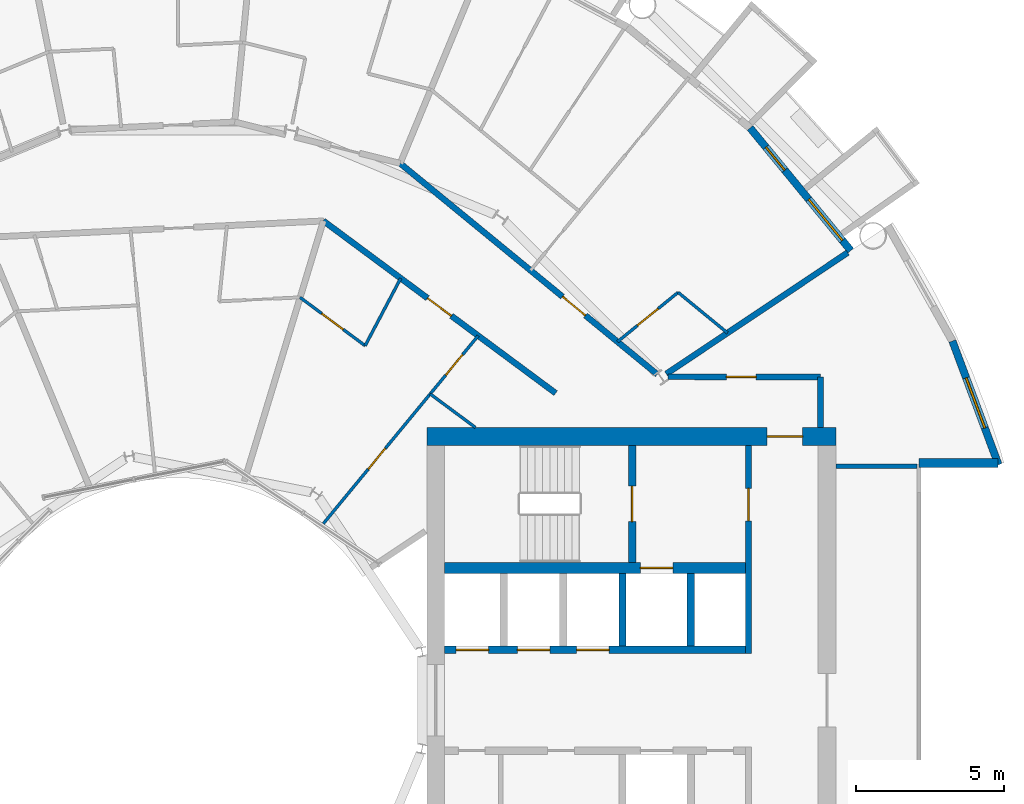
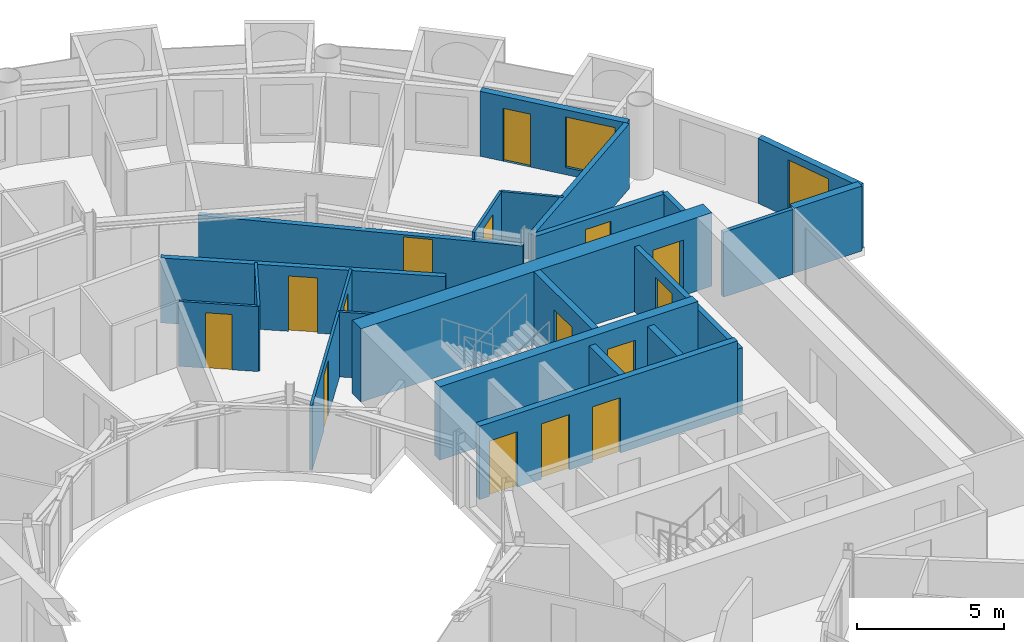
# One storey, part 22 of 27: 22 walls, 15 doors, 2 windows, 17 openings.
"""IFC4 building model written with IfcOpenShell, lengths in metres."""

from ifc_helpers import new_model, si_unit, direction, frame, frame_2d, origin, place, context, subcontext, project, spatial, rectangle, extrude, material, layer, layer_set, type_object, element, fill, save


model = new_model("IFC4")

# Units and contexts
model_context = context("Model", 3, precision=1e-05, world=origin(), true_north=direction((0.0, 1.0)))
body_context = subcontext(model_context, "Body", "Model", "MODEL_VIEW")
ifc_project = project(units=[si_unit("LENGTHUNIT", "METRE"), si_unit("AREAUNIT", "SQUARE_METRE"), si_unit("VOLUMEUNIT", "CUBIC_METRE"), si_unit("PLANEANGLEUNIT", "RADIAN"), si_unit("MASSUNIT", "GRAM", prefix="KILO")], contexts=[model_context])

# Site, building, storey
site_placement = place(None, origin())
site = spatial("IfcSite", under=ifc_project, at=site_placement, CompositionType="ELEMENT")
building_placement = place(site_placement, origin())
building = spatial("IfcBuilding", under=site, at=building_placement, Name="Maasbend Ring Residences", CompositionType="ELEMENT")
storey_placement = place(building_placement, frame((0.0, 0.0, 114.699951171875)))
storey = spatial("IfcBuildingStorey", under=building, at=storey_placement, Name="L32", CompositionType="ELEMENT", Elevation=114.699951171875)

# Wall, openings, doors
ifc_material_1 = material(Name="Concrete C60/75", Category="concrete")
ifc_layer_1 = layer(ifc_material_1, 0.25)
ifc_layer_set_1 = layer_set([ifc_layer_1], Name="Concrete C60/75")
wall_type_1 = type_object("IfcWallType", Name="CORE WALL 250 C60/75", PredefinedType="SHEAR", material=ifc_layer_set_1)
wall_1_placement = place(storey_placement, frame((9.0, 1.699951171875, 0.0), z_axis=(0.0, 0.0, 1.0), x_axis=(1.0, 0.0, 0.0)))
wall_1 = element("IfcWall", 1, at=wall_1_placement, inside=storey, type_object=wall_type_1, Name="L32 core E wall SPN", PredefinedType="SHEAR", context=body_context, shape_type="SweptSolid", body=[
    extrude(rectangle(XDim=10.14990234375, YDim=0.25, at=frame_2d((5.074951171875, 0.0))), origin(), (0.0, 0.0, 1.0), 3.050048828125),
])
opening_1_placement = place(wall_1_placement, frame((0.387451171875, 0.0, 0.0)))
opening_1 = element("IfcOpeningElement", 2, at=opening_1_placement, cuts=wall_1, Name="Opening LD-E3201", PredefinedType="OPENING", context=body_context, shape_type="SweptSolid", body=[
    extrude(rectangle(XDim=1.10009765625, YDim=2.300048828125, at=frame_2d((0.550048828125, 1.14990234375))), frame((0.0, 0.135009765625, 0.0), z_axis=(0.0, -1.0, 0.0), x_axis=(1.0, 0.0, 0.0)), (0.0, 0.0, 1.0), 0.27001953125),
])
opening_2_placement = place(wall_1_placement, frame((2.449951171875, 0.0, 0.0)))
opening_2 = element("IfcOpeningElement", 3, at=opening_2_placement, cuts=wall_1, Name="Opening LD-E3202", PredefinedType="OPENING", context=body_context, shape_type="SweptSolid", body=[
    extrude(rectangle(XDim=1.10009765625, YDim=2.300048828125, at=frame_2d((0.550048828125, 1.14990234375))), frame((0.0, 0.135009765625, 0.0), z_axis=(0.0, -1.0, 0.0), x_axis=(1.0, 0.0, 0.0)), (0.0, 0.0, 1.0), 0.27001953125),
])
opening_3_placement = place(wall_1_placement, frame((4.449951171875, 0.0, 0.0)))
opening_3 = element("IfcOpeningElement", 4, at=opening_3_placement, cuts=wall_1, Name="Opening LD-E3203", PredefinedType="OPENING", context=body_context, shape_type="SweptSolid", body=[
    extrude(rectangle(XDim=1.10009765625, YDim=2.300048828125, at=frame_2d((0.550048828125, 1.14990234375))), frame((0.0, 0.135009765625, 0.0), z_axis=(0.0, -1.0, 0.0), x_axis=(1.0, 0.0, 0.0)), (0.0, 0.0, 1.0), 0.27001953125),
])
ifc_material_2 = material(Name="Stainless steel 316", Category="steel")
door_type_1 = type_object("IfcDoorType", Name="LANDING DOOR 1100 X 2300 FD60", OperationType="DOUBLE_DOOR_SLIDING", PredefinedType="DOOR", material=ifc_material_2)
door_1_placement = place(opening_1_placement, origin())
door_1 = element("IfcDoor", 5, at=door_1_placement, inside=storey, type_object=door_type_1, Name="Landing door LR-E1 L32", OperationType="DOUBLE_DOOR_SLIDING", OverallHeight=2.300048828125, OverallWidth=1.10009765625, PredefinedType="DOOR", context=body_context, shape_type="SweptSolid", body=[
    extrude(rectangle(XDim=1.10009765625, YDim=2.300048828125, at=frame_2d((0.550048828125, 1.14990234375))), frame((0.0, 0.02490234375, 0.0), z_axis=(0.0, -1.0, 0.0), x_axis=(1.0, 0.0, 0.0)), (0.0, 0.0, 1.0), 0.050048828125),
])
fill(opening_1, door_1)
door_2_placement = place(opening_2_placement, origin())
door_2 = element("IfcDoor", 6, at=door_2_placement, inside=storey, type_object=door_type_1, Name="Landing door LR-E2 L32", OperationType="DOUBLE_DOOR_SLIDING", OverallHeight=2.300048828125, OverallWidth=1.10009765625, PredefinedType="DOOR", context=body_context, shape_type="SweptSolid", body=[
    extrude(rectangle(XDim=1.10009765625, YDim=2.300048828125, at=frame_2d((0.550048828125, 1.14990234375))), frame((0.0, 0.02490234375, 0.0), z_axis=(0.0, -1.0, 0.0), x_axis=(1.0, 0.0, 0.0)), (0.0, 0.0, 1.0), 0.050048828125),
])
fill(opening_2, door_2)
door_3_placement = place(opening_3_placement, origin())
door_3 = element("IfcDoor", 7, at=door_3_placement, inside=storey, type_object=door_type_1, Name="Landing door LR-E3 L32", OperationType="DOUBLE_DOOR_SLIDING", OverallHeight=2.300048828125, OverallWidth=1.10009765625, PredefinedType="DOOR", context=body_context, shape_type="SweptSolid", body=[
    extrude(rectangle(XDim=1.10009765625, YDim=2.300048828125, at=frame_2d((0.550048828125, 1.14990234375))), frame((0.0, 0.02490234375, 0.0), z_axis=(0.0, -1.0, 0.0), x_axis=(1.0, 0.0, 0.0)), (0.0, 0.0, 1.0), 0.050048828125),
])
fill(opening_3, door_3)

# Wall, opening, door
wall_2_placement = place(storey_placement, frame((15.324951171875, 4.64990234375, 0.0), z_axis=(0.0, 0.0, 1.0), x_axis=(0.0, 1.0, 0.0)))
wall_2 = element("IfcWall", 8, at=wall_2_placement, inside=storey, type_object=wall_type_1, Name="L32 core E wall STEN", PredefinedType="SHEAR", context=body_context, shape_type="SweptSolid", body=[
    extrude(rectangle(XDim=3.9501953125, YDim=0.25, at=frame_2d((1.97509765625, 0.0))), origin(), (0.0, 0.0, 1.0), 3.050048828125),
])
opening_4_placement = place(wall_2_placement, frame((1.375, 0.0, 0.0)))
opening_4 = element("IfcOpeningElement", 9, at=opening_4_placement, cuts=wall_2, Name="Opening D-E3210", PredefinedType="OPENING", context=body_context, shape_type="SweptSolid", body=[
    extrude(rectangle(XDim=1.199951171875, YDim=2.300048828125, at=frame_2d((0.60009765625, 1.14990234375))), frame((0.0, 0.135009765625, 0.0), z_axis=(0.0, -1.0, 0.0), x_axis=(1.0, 0.0, 0.0)), (0.0, 0.0, 1.0), 0.27001953125),
])
ifc_material_3 = material(Name="Steel, powder coated", Category="steel")
door_type_2 = type_object("IfcDoorType", Name="STAIR DOOR 1200 X 2300 FD60", OperationType="NOTDEFINED", PredefinedType="DOOR", material=ifc_material_3)
door_4_placement = place(opening_4_placement, origin())
door_4 = element("IfcDoor", 10, at=door_4_placement, inside=storey, type_object=door_type_2, Name="Stair door ST-E L32", OperationType="SINGLE_SWING_LEFT", OverallHeight=2.300048828125, OverallWidth=1.199951171875, PredefinedType="DOOR", context=body_context, shape_type="SweptSolid", body=[
    extrude(rectangle(XDim=1.199951171875, YDim=2.300048828125, at=frame_2d((0.60009765625, 1.14990234375))), frame((0.0, 0.02490234375, 0.0), z_axis=(0.0, -1.0, 0.0), x_axis=(1.0, 0.0, 0.0)), (0.0, 0.0, 1.0), 0.050048828125),
])
fill(opening_4, door_4)

ifc_material_4 = material(Name="Concrete C60/75", Category="concrete")
ifc_layer_2 = layer(ifc_material_4, 0.375)
ifc_layer_set_2 = layer_set([ifc_layer_2], Name="Concrete C60/75")
wall_type_2 = type_object("IfcWallType", Name="CORE WALL 375 C60/75", PredefinedType="SHEAR", material=ifc_layer_set_2)
wall_3_placement = place(storey_placement, frame((9.0, 4.46240234375, 0.0), z_axis=(0.0, 0.0, 1.0), x_axis=(1.0, 0.0, 0.0)))
wall_3 = element("IfcWall", 11, at=wall_3_placement, inside=storey, type_object=wall_type_2, Name="L32 core E wall BN", PredefinedType="SHEAR", context=body_context, shape_type="SweptSolid", body=[
    extrude(rectangle(XDim=10.14990234375, YDim=0.375, at=frame_2d((5.074951171875, 0.0))), origin(), (0.0, 0.0, 1.0), 3.050048828125),
])
opening_5_placement = place(wall_3_placement, frame((6.60009765625, 0.0, 0.0)))
opening_5 = element("IfcOpeningElement", 12, at=opening_5_placement, cuts=wall_3, Name="Opening LD-E3204", PredefinedType="OPENING", context=body_context, shape_type="SweptSolid", body=[
    extrude(rectangle(XDim=1.10009765625, YDim=2.300048828125, at=frame_2d((0.550048828125, 1.14990234375))), frame((0.0, 0.197509765625, 0.0), z_axis=(0.0, -1.0, 0.0), x_axis=(1.0, 0.0, 0.0)), (0.0, 0.0, 1.0), 0.39501953125),
])
door_5_placement = place(opening_5_placement, origin())
door_5 = element("IfcDoor", 13, at=door_5_placement, inside=storey, type_object=door_type_1, Name="Landing door FF-E L32", OperationType="DOUBLE_DOOR_SLIDING", OverallHeight=2.300048828125, OverallWidth=1.10009765625, PredefinedType="DOOR", context=body_context, shape_type="SweptSolid", body=[
    extrude(rectangle(XDim=1.10009765625, YDim=2.300048828125, at=frame_2d((0.550048828125, 1.14990234375))), frame((0.0, 0.02490234375, 0.0), z_axis=(0.0, -1.0, 0.0), x_axis=(1.0, 0.0, 0.0)), (0.0, 0.0, 1.0), 0.050048828125),
])
fill(opening_5, door_5)

ifc_material_5 = material(Name="Concrete C60/75", Category="concrete")
ifc_layer_3 = layer(ifc_material_5, 0.60009765625)
ifc_layer_set_3 = layer_set([ifc_layer_3], Name="Concrete C60/75")
wall_type_3 = type_object("IfcWallType", Name="CORE WALL 600 C60/75", PredefinedType="SHEAR", material=ifc_layer_set_3)
wall_4_placement = place(storey_placement, frame((22.199951171875, 8.89990234375, 0.0), z_axis=(0.0, 0.0, 1.0), x_axis=(-1.0, 0.0, 0.0)))
wall_4 = element("IfcWall", 14, at=wall_4_placement, inside=storey, type_object=wall_type_3, Name="L32 core E wall PN", PredefinedType="SHEAR", context=body_context, shape_type="SweptSolid", body=[
    extrude(rectangle(XDim=13.800048828125, YDim=0.60009765625, at=frame_2d((6.89990234375, 0.0))), origin(), (0.0, 0.0, 1.0), 3.050048828125),
])
opening_6_placement = place(wall_4_placement, frame((1.125, 0.0, 0.0)))
opening_6 = element("IfcOpeningElement", 15, at=opening_6_placement, cuts=wall_4, Name="Opening D-E3214", PredefinedType="OPENING", context=body_context, shape_type="SweptSolid", body=[
    extrude(rectangle(XDim=1.199951171875, YDim=2.300048828125, at=frame_2d((0.60009765625, 1.14990234375))), frame((0.0, 0.31005859375, 0.0), z_axis=(0.0, -1.0, 0.0), x_axis=(1.0, 0.0, 0.0)), (0.0, 0.0, 1.0), 0.6201171875),
])
ifc_material_6 = material(Name="Steel, powder coated", Category="steel")
door_type_3 = type_object("IfcDoorType", Name="CORRIDOR DOOR 1200 X 2300 FD30S", OperationType="NOTDEFINED", PredefinedType="DOOR", material=ifc_material_6)
door_6_placement = place(opening_6_placement, origin())
door_6 = element("IfcDoor", 16, at=door_6_placement, inside=storey, type_object=door_type_3, Name="Corridor door L32", OperationType="SINGLE_SWING_RIGHT", OverallHeight=2.300048828125, OverallWidth=1.199951171875, PredefinedType="DOOR", context=body_context, shape_type="SweptSolid", body=[
    extrude(rectangle(XDim=1.199951171875, YDim=2.300048828125, at=frame_2d((0.60009765625, 1.14990234375))), frame((0.0, 0.02490234375, 0.0), z_axis=(0.0, -1.0, 0.0), x_axis=(1.0, 0.0, 0.0)), (0.0, 0.0, 1.0), 0.050048828125),
])
fill(opening_6, door_6)

# Wall
ifc_material_7 = material(Name="Concrete C30/37", Category="concrete")
ifc_layer_4 = layer(ifc_material_7, 0.199951171875)
ifc_layer_set_4 = layer_set([ifc_layer_4], Name="Concrete C30/37")
wall_type_4 = type_object("IfcWallType", Name="CORRIDOR WALL 200 CONCRETE", PredefinedType="PARTITIONING", material=ifc_layer_set_4)
wall_5_placement = place(storey_placement, frame((21.675048828125, 9.199951171875, 0.0), z_axis=(0.0, 0.0, 1.0), x_axis=(0.0, 1.0, 0.0)))
element("IfcWall", 17, at=wall_5_placement, inside=storey, type_object=wall_type_4, Name="U-L32-w004", PredefinedType="PARTITIONING", context=body_context, shape_type="SweptSolid", body=[
    extrude(rectangle(XDim=1.699951171875, YDim=0.199951171875, at=frame_2d((0.85009765625, 0.0))), origin(), (0.0, 0.0, 1.0), 2.699951171875),
])

# Wall, opening, door
wall_6_placement = place(storey_placement, frame((16.5400390625, 10.9130859375, 0.0), z_axis=(0.0, 0.0, 1.0), x_axis=(0.99999670426, -0.002567385634, 0.0)))
wall_6 = element("IfcWall", 18, at=wall_6_placement, inside=storey, type_object=wall_type_4, Name="U-L32-w089", PredefinedType="PARTITIONING", context=body_context, shape_type="SweptSolid", body=[
    extrude(rectangle(XDim=5.135009765625, YDim=0.199951171875, at=frame_2d((2.5673828125, 0.0))), origin(), (0.0, 0.0, 1.0), 2.699951171875),
])
opening_7_placement = place(wall_6_placement, frame((1.965087890625, 0.0, 0.0)))
opening_7 = element("IfcOpeningElement", 19, at=opening_7_placement, cuts=wall_6, Name="Opening D-3270", PredefinedType="OPENING", context=body_context, shape_type="SweptSolid", body=[
    extrude(rectangle(XDim=1.0, YDim=2.300048828125, at=frame_2d((0.5, 1.14990234375))), frame((0.0, 0.10986328125, 0.0), z_axis=(0.0, -1.0, 0.0), x_axis=(1.0, 0.0, 0.0)), (0.0, 0.0, 1.0), 0.219970703125),
])
ifc_material_8 = material(Name="Timber, painted", Category="wood")
door_type_4 = type_object("IfcDoorType", Name="ROOM DOOR 1000 X 2300", OperationType="NOTDEFINED", PredefinedType="DOOR", material=ifc_material_8)
door_7_placement = place(opening_7_placement, origin())
door_7 = element("IfcDoor", 20, at=door_7_placement, inside=storey, type_object=door_type_4, Name="D-3270", OperationType="SINGLE_SWING_LEFT", OverallHeight=2.300048828125, OverallWidth=1.0, PredefinedType="DOOR", context=body_context, shape_type="SweptSolid", body=[
    extrude(rectangle(XDim=1.0, YDim=2.300048828125, at=frame_2d((0.5, 1.14990234375))), frame((0.0, 0.02490234375, 0.0), z_axis=(0.0, -1.0, 0.0), x_axis=(1.0, 0.0, 0.0)), (0.0, 0.0, 1.0), 0.050048828125),
])
fill(opening_7, door_7)

wall_7_placement = place(storey_placement, frame((4.906005859375, 16.172119140625, 0.0), z_axis=(0.0, 0.0, 1.0), x_axis=(0.803191461888, -0.595720971219, 0.0)))
wall_7 = element("IfcWall", 21, at=wall_7_placement, inside=storey, type_object=wall_type_4, Name="U-L32-w097", PredefinedType="PARTITIONING", context=body_context, shape_type="SweptSolid", body=[
    extrude(rectangle(XDim=9.760009765625, YDim=0.199951171875, at=frame_2d((4.8798828125, 0.0))), origin(), (0.0, 0.0, 1.0), 2.699951171875),
])
opening_8_placement = place(wall_7_placement, frame((4.3798828125, 0.0, 0.0)))
opening_8 = element("IfcOpeningElement", 22, at=opening_8_placement, cuts=wall_7, Name="Opening D-3221", PredefinedType="OPENING", context=body_context, shape_type="SweptSolid", body=[
    extrude(rectangle(XDim=1.0, YDim=2.300048828125, at=frame_2d((0.5, 1.14990234375))), frame((0.0, 0.10986328125, 0.0), z_axis=(0.0, -1.0, 0.0), x_axis=(1.0, 0.0, 0.0)), (0.0, 0.0, 1.0), 0.219970703125),
])
ifc_material_9 = material(Name="Timber, fire-rated, painted", Category="wood")
door_type_5 = type_object("IfcDoorType", Name="FLAT ENTRANCE DOOR 1000 X 2300 FIRE-RATED", OperationType="NOTDEFINED", PredefinedType="DOOR", material=ifc_material_9)
door_8_placement = place(opening_8_placement, origin())
door_8 = element("IfcDoor", 23, at=door_8_placement, inside=storey, type_object=door_type_5, Name="D-3221", OperationType="SINGLE_SWING_LEFT", OverallHeight=2.300048828125, OverallWidth=1.0, PredefinedType="DOOR", context=body_context, shape_type="SweptSolid", body=[
    extrude(rectangle(XDim=1.0, YDim=2.300048828125, at=frame_2d((0.5, 1.14990234375))), frame((0.0, 0.02490234375, 0.0), z_axis=(0.0, -1.0, 0.0), x_axis=(1.0, 0.0, 0.0)), (0.0, 0.0, 1.0), 0.050048828125),
])
fill(opening_8, door_8)

wall_8_placement = place(storey_placement, frame((7.5, 18.10791015625, 0.0), z_axis=(0.0, 0.0, 1.0), x_axis=(0.773049018445, -0.634346289562, 0.0)))
wall_8 = element("IfcWall", 24, at=wall_8_placement, inside=storey, type_object=wall_type_4, Name="U-L32-w099", PredefinedType="PARTITIONING", context=body_context, shape_type="SweptSolid", body=[
    extrude(rectangle(XDim=11.21923828125, YDim=0.199951171875, at=frame_2d((5.609619140625, 0.0))), origin(), (0.0, 0.0, 1.0), 2.39013671875),
])
opening_9_placement = place(wall_8_placement, frame((7.0849609375, 0.0, 0.0)))
opening_9 = element("IfcOpeningElement", 25, at=opening_9_placement, cuts=wall_8, Name="Opening D-3201", PredefinedType="OPENING", context=body_context, shape_type="SweptSolid", body=[
    extrude(rectangle(XDim=1.0, YDim=2.300048828125, at=frame_2d((0.5, 1.14990234375))), frame((0.0, 0.10986328125, 0.0), z_axis=(0.0, -1.0, 0.0), x_axis=(1.0, 0.0, 0.0)), (0.0, 0.0, 1.0), 0.219970703125),
])
door_9_placement = place(opening_9_placement, origin())
door_9 = element("IfcDoor", 26, at=door_9_placement, inside=storey, type_object=door_type_5, Name="D-3201", OperationType="SINGLE_SWING_RIGHT", OverallHeight=2.300048828125, OverallWidth=1.0, PredefinedType="DOOR", context=body_context, shape_type="SweptSolid", body=[
    extrude(rectangle(XDim=1.0, YDim=2.300048828125, at=frame_2d((0.5, 1.14990234375))), frame((0.0, 0.02490234375, 0.0), z_axis=(0.0, -1.0, 0.0), x_axis=(1.0, 0.0, 0.0)), (0.0, 0.0, 1.0), 0.050048828125),
])
fill(opening_9, door_9)

# Wall, openings, door, window
ifc_material_10 = material(Name="Aluminium clad insulated panel", Category="aluminium")
ifc_layer_5 = layer(ifc_material_10, 0.25)
ifc_layer_set_5 = layer_set([ifc_layer_5], Name="EW-GL")
wall_type_5 = type_object("IfcWallType", Name="EW-GL", PredefinedType="SOLIDWALL", material=ifc_layer_set_5)
wall_9_placement = place(storey_placement, frame((22.698974609375, 15.1669921875, 0.0), z_axis=(0.0, 0.0, 1.0), x_axis=(-0.634382322723, 0.773019449054, 0.0)))
wall_9 = element("IfcWall", 27, at=wall_9_placement, inside=storey, type_object=wall_type_5, Name="External wall N01", PredefinedType="SOLIDWALL", context=body_context, shape_type="SweptSolid", body=[
    extrude(rectangle(XDim=5.351806640625, YDim=0.25, at=frame_2d((2.67578125, 0.0))), origin(), (0.0, 0.0, 1.0), 2.699951171875),
])
opening_10_placement = place(wall_9_placement, frame((0.441162109375, 0.0, 0.300048828125)))
opening_10 = element("IfcOpeningElement", 28, at=opening_10_placement, cuts=wall_9, Name="Opening W-BX", PredefinedType="OPENING", context=body_context, shape_type="SweptSolid", body=[
    extrude(rectangle(XDim=1.800048828125, YDim=2.10009765625, at=frame_2d((0.89990234375, 1.050048828125))), frame((0.0, 0.135009765625, 0.0), z_axis=(0.0, -1.0, 0.0), x_axis=(1.0, 0.0, 0.0)), (0.0, 0.0, 1.0), 0.27001953125),
])
opening_11_placement = place(wall_9_placement, frame((3.510498046875, 0.0, 0.0)))
opening_11 = element("IfcOpeningElement", 29, at=opening_11_placement, cuts=wall_9, Name="Opening D-LG", PredefinedType="OPENING", context=body_context, shape_type="SweptSolid", body=[
    extrude(rectangle(XDim=1.0, YDim=2.199951171875, at=frame_2d((0.5, 1.10009765625))), frame((0.0, 0.135009765625, 0.0), z_axis=(0.0, -1.0, 0.0), x_axis=(1.0, 0.0, 0.0)), (0.0, 0.0, 1.0), 0.27001953125),
])
ifc_material_11 = material(Name="Aluminium and clear glass", Category="aluminium")
door_type_6 = type_object("IfcDoorType", Name="D-LG", OperationType="SINGLE_SWING_LEFT", PredefinedType="DOOR", material=ifc_material_11)
door_10_placement = place(opening_11_placement, origin())
door_10 = element("IfcDoor", 30, at=door_10_placement, inside=storey, type_object=door_type_6, Name="Loggia door N02", OperationType="SINGLE_SWING_LEFT", OverallHeight=2.199951171875, OverallWidth=1.0, PredefinedType="DOOR", context=body_context, shape_type="SweptSolid", body=[
    extrude(rectangle(XDim=1.0, YDim=2.199951171875, at=frame_2d((0.5, 1.10009765625))), frame((0.0, 0.02490234375, 0.0), z_axis=(0.0, -1.0, 0.0), x_axis=(1.0, 0.0, 0.0)), (0.0, 0.0, 1.0), 0.050048828125),
])
fill(opening_11, door_10)
ifc_material_12 = material(Name="Aluminium and clear glass", Category="aluminium")
window_type = type_object("IfcWindowType", Name="W-BX", PartitioningType="DOUBLE_PANEL_VERTICAL", PredefinedType="WINDOW", material=ifc_material_12)
window_1_placement = place(opening_10_placement, origin())
window_1 = element("IfcWindow", 31, at=window_1_placement, inside=storey, type_object=window_type, Name="Window N01 room to box", OverallHeight=2.10009765625, OverallWidth=1.800048828125, PartitioningType="SINGLE_PANEL", PredefinedType="WINDOW", context=body_context, shape_type="SweptSolid", body=[
    extrude(rectangle(XDim=1.800048828125, YDim=2.10009765625, at=frame_2d((0.89990234375, 1.050048828125))), frame((0.0, 0.030029296875, 0.0), z_axis=(0.0, -1.0, 0.0), x_axis=(1.0, 0.0, 0.0)), (0.0, 0.0, 1.0), 0.06005859375),
])
fill(opening_10, window_1)

# Wall, opening, window
ifc_material_13 = material(Name="Aluminium clad insulated panel", Category="aluminium")
ifc_layer_6 = layer(ifc_material_13, 0.25)
ifc_layer_set_6 = layer_set([ifc_layer_6], Name="EW-HORN")
wall_type_6 = type_object("IfcWallType", Name="EW-HORN", PredefinedType="SOLIDWALL", material=ifc_layer_set_6)
wall_10_placement = place(storey_placement, frame((27.681884765625, 7.945068359375, 0.0), z_axis=(0.0, 0.0, 1.0), x_axis=(-0.349247811493, 0.937030397675, 0.0)))
wall_10 = element("IfcWall", 32, at=wall_10_placement, inside=storey, type_object=wall_type_6, Name="Horn wall 1.1", PredefinedType="SOLIDWALL", context=body_context, shape_type="SweptSolid", body=[
    extrude(rectangle(XDim=4.4521484375, YDim=0.25, at=frame_2d((2.22607421875, 0.0))), origin(), (0.0, 0.0, 1.0), 2.699951171875),
])
opening_12_placement = place(wall_10_placement, frame((1.32666015625, 0.0, 0.300048828125)))
opening_12 = element("IfcOpeningElement", 33, at=opening_12_placement, cuts=wall_10, Name="Opening W-BX", PredefinedType="OPENING", context=body_context, shape_type="SweptSolid", body=[
    extrude(rectangle(XDim=1.800048828125, YDim=2.10009765625, at=frame_2d((0.89990234375, 1.050048828125))), frame((0.0, 0.135009765625, 0.0), z_axis=(0.0, -1.0, 0.0), x_axis=(1.0, 0.0, 0.0)), (0.0, 0.0, 1.0), 0.27001953125),
])
window_2_placement = place(opening_12_placement, origin())
window_2 = element("IfcWindow", 34, at=window_2_placement, inside=storey, type_object=window_type, Name="Horn window 1.1", OverallHeight=2.10009765625, OverallWidth=1.800048828125, PartitioningType="SINGLE_PANEL", PredefinedType="WINDOW", context=body_context, shape_type="SweptSolid", body=[
    extrude(rectangle(XDim=1.800048828125, YDim=2.10009765625, at=frame_2d((0.89990234375, 1.050048828125))), frame((0.0, 0.030029296875, 0.0), z_axis=(0.0, -1.0, 0.0), x_axis=(1.0, 0.0, 0.0)), (0.0, 0.0, 1.0), 0.06005859375),
])
fill(opening_12, window_2)

# Wall
ifc_material_14 = material(Name="Aluminium clad insulated panel", Category="aluminium")
ifc_layer_7 = layer(ifc_material_14, 0.300048828125)
ifc_layer_set_7 = layer_set([ifc_layer_7], Name="EW-RET")
wall_type_7 = type_object("IfcWallType", Name="EW-RET", PredefinedType="SOLIDWALL", material=ifc_layer_set_7)
wall_11_placement = place(storey_placement, frame((25.0, 8.0, 0.0), z_axis=(0.0, 0.0, 1.0), x_axis=(1.0, 0.0, 0.0)))
element("IfcWall", 35, at=wall_11_placement, inside=storey, type_object=wall_type_7, Name="Notch return wall east north", PredefinedType="SOLIDWALL", context=body_context, shape_type="SweptSolid", body=[
    extrude(rectangle(XDim=2.6669921875, YDim=0.300048828125, at=frame_2d((1.33349609375, 0.0))), origin(), (0.0, 0.0, 1.0), 2.699951171875),
])

# Wall, openings, doors
ifc_material_15 = material(Name="Gypsum board on steel studs", Category="steel")
ifc_layer_8 = layer(ifc_material_15, 0.10009765625)
ifc_layer_set_8 = layer_set([ifc_layer_8], Name="PARTITION 100 GYPSUM")
wall_type_8 = type_object("IfcWallType", Name="PARTITION 100 GYPSUM", PredefinedType="PARTITIONING", material=ifc_layer_set_8)
wall_12_placement = place(storey_placement, frame((4.908935546875, 5.9580078125, 0.0), z_axis=(0.0, 0.0, 1.0), x_axis=(0.635976043025, 0.771708800454, 0.0)))
wall_12 = element("IfcWall", 36, at=wall_12_placement, inside=storey, type_object=wall_type_8, Name="U-L32-w069", PredefinedType="PARTITIONING", context=body_context, shape_type="SweptSolid", body=[
    extrude(rectangle(XDim=8.212890625, YDim=0.10009765625, at=frame_2d((4.1064453125, 0.0))), origin(), (0.0, 0.0, 1.0), 2.699951171875),
])
opening_13_placement = place(wall_12_placement, frame((6.489990234375, 0.0, 0.0)))
opening_13 = element("IfcOpeningElement", 37, at=opening_13_placement, cuts=wall_12, Name="Opening D-3223", PredefinedType="OPENING", context=body_context, shape_type="SweptSolid", body=[
    extrude(rectangle(XDim=0.89990234375, YDim=2.300048828125, at=frame_2d((0.449951171875, 1.14990234375))), frame((0.0, 0.06005859375, 0.0), z_axis=(0.0, -1.0, 0.0), x_axis=(1.0, 0.0, 0.0)), (0.0, 0.0, 1.0), 0.1201171875),
])
opening_14_placement = place(wall_12_placement, frame((2.384033203125, 0.0, 0.0)))
opening_14 = element("IfcOpeningElement", 38, at=opening_14_placement, cuts=wall_12, Name="Opening D-3224", PredefinedType="OPENING", context=body_context, shape_type="SweptSolid", body=[
    extrude(rectangle(XDim=0.89990234375, YDim=2.300048828125, at=frame_2d((0.449951171875, 1.14990234375))), frame((0.0, 0.06005859375, 0.0), z_axis=(0.0, -1.0, 0.0), x_axis=(1.0, 0.0, 0.0)), (0.0, 0.0, 1.0), 0.1201171875),
])
ifc_material_16 = material(Name="Timber, painted", Category="wood")
door_type_7 = type_object("IfcDoorType", Name="INTERNAL DOOR 900 X 2300", OperationType="NOTDEFINED", PredefinedType="DOOR", material=ifc_material_16)
door_11_placement = place(opening_13_placement, origin())
door_11 = element("IfcDoor", 39, at=door_11_placement, inside=storey, type_object=door_type_7, Name="D-3223", OperationType="SINGLE_SWING_RIGHT", OverallHeight=2.300048828125, OverallWidth=0.89990234375, PredefinedType="DOOR", context=body_context, shape_type="SweptSolid", body=[
    extrude(rectangle(XDim=0.89990234375, YDim=2.300048828125, at=frame_2d((0.449951171875, 1.14990234375))), frame((0.0, 0.02490234375, 0.0), z_axis=(0.0, -1.0, 0.0), x_axis=(1.0, 0.0, 0.0)), (0.0, 0.0, 1.0), 0.050048828125),
])
fill(opening_13, door_11)
door_12_placement = place(opening_14_placement, origin())
door_12 = element("IfcDoor", 40, at=door_12_placement, inside=storey, type_object=door_type_7, Name="D-3224", OperationType="SINGLE_SWING_LEFT", OverallHeight=2.300048828125, OverallWidth=0.89990234375, PredefinedType="DOOR", context=body_context, shape_type="SweptSolid", body=[
    extrude(rectangle(XDim=0.89990234375, YDim=2.300048828125, at=frame_2d((0.449951171875, 1.14990234375))), frame((0.0, 0.02490234375, 0.0), z_axis=(0.0, -1.0, 0.0), x_axis=(1.0, 0.0, 0.0)), (0.0, 0.0, 1.0), 0.050048828125),
])
fill(opening_14, door_12)

# Wall
wall_13_placement = place(storey_placement, frame((6.318115234375, 11.9599609375, 0.0), z_axis=(0.0, 0.0, 1.0), x_axis=(0.467001992543, 0.884256263173, 0.0)))
element("IfcWall", 41, at=wall_13_placement, inside=storey, type_object=wall_type_8, Name="U-L32-w072", PredefinedType="PARTITIONING", context=body_context, shape_type="SweptSolid", body=[
    extrude(rectangle(XDim=2.571533203125, YDim=0.10009765625, at=frame_2d((1.28564453125, 0.0))), origin(), (0.0, 0.0, 1.0), 2.699951171875),
])

# Wall, opening, door
wall_14_placement = place(storey_placement, frame((14.8310546875, 12.092041015625, 0.0), z_axis=(0.0, 0.0, 1.0), x_axis=(0.774979608522, 0.631986239072, 0.0)))
wall_14 = element("IfcWall", 42, at=wall_14_placement, inside=storey, type_object=wall_type_8, Name="U-L32-w082", PredefinedType="PARTITIONING", context=body_context, shape_type="SweptSolid", body=[
    extrude(rectangle(XDim=2.63623046875, YDim=0.10009765625, at=frame_2d((1.318115234375, 0.0))), origin(), (0.0, 0.0, 1.0), 2.699951171875),
])
opening_15_placement = place(wall_14_placement, frame((0.867919921875, 0.0, 0.0)))
opening_15 = element("IfcOpeningElement", 43, at=opening_15_placement, cuts=wall_14, Name="Opening D-3202", PredefinedType="OPENING", context=body_context, shape_type="SweptSolid", body=[
    extrude(rectangle(XDim=0.89990234375, YDim=2.300048828125, at=frame_2d((0.449951171875, 1.14990234375))), frame((0.0, 0.06005859375, 0.0), z_axis=(0.0, -1.0, 0.0), x_axis=(1.0, 0.0, 0.0)), (0.0, 0.0, 1.0), 0.1201171875),
])
door_13_placement = place(opening_15_placement, origin())
door_13 = element("IfcDoor", 44, at=door_13_placement, inside=storey, type_object=door_type_7, Name="D-3202", OperationType="SINGLE_SWING_RIGHT", OverallHeight=2.300048828125, OverallWidth=0.89990234375, PredefinedType="DOOR", context=body_context, shape_type="SweptSolid", body=[
    extrude(rectangle(XDim=0.89990234375, YDim=2.300048828125, at=frame_2d((0.449951171875, 1.14990234375))), frame((0.0, 0.02490234375, 0.0), z_axis=(0.0, -1.0, 0.0), x_axis=(1.0, 0.0, 0.0)), (0.0, 0.0, 1.0), 0.050048828125),
])
fill(opening_15, door_13)

wall_15_placement = place(storey_placement, frame((4.1220703125, 13.589111328125, 0.0), z_axis=(0.0, 0.0, 1.0), x_axis=(0.803128348509, -0.595806055542, 0.0)))
wall_15 = element("IfcWall", 45, at=wall_15_placement, inside=storey, type_object=wall_type_8, Name="U-L32-w092", PredefinedType="PARTITIONING", context=body_context, shape_type="SweptSolid", body=[
    extrude(rectangle(XDim=2.734375, YDim=0.10009765625, at=frame_2d((1.3671875, 0.0))), origin(), (0.0, 0.0, 1.0), 2.699951171875),
])
opening_16_placement = place(wall_15_placement, frame((0.9169921875, 0.0, 0.0)))
opening_16 = element("IfcOpeningElement", 46, at=opening_16_placement, cuts=wall_15, Name="Opening D-3222", PredefinedType="OPENING", context=body_context, shape_type="SweptSolid", body=[
    extrude(rectangle(XDim=0.89990234375, YDim=2.300048828125, at=frame_2d((0.449951171875, 1.14990234375))), frame((0.0, 0.06005859375, 0.0), z_axis=(0.0, -1.0, 0.0), x_axis=(1.0, 0.0, 0.0)), (0.0, 0.0, 1.0), 0.1201171875),
])
door_14_placement = place(opening_16_placement, origin())
door_14 = element("IfcDoor", 47, at=door_14_placement, inside=storey, type_object=door_type_7, Name="D-3222", OperationType="SINGLE_SWING_LEFT", OverallHeight=2.300048828125, OverallWidth=0.89990234375, PredefinedType="DOOR", context=body_context, shape_type="SweptSolid", body=[
    extrude(rectangle(XDim=0.89990234375, YDim=2.300048828125, at=frame_2d((0.449951171875, 1.14990234375))), frame((0.0, 0.02490234375, 0.0), z_axis=(0.0, -1.0, 0.0), x_axis=(1.0, 0.0, 0.0)), (0.0, 0.0, 1.0), 0.050048828125),
])
fill(opening_16, door_14)

# Walls
wall_16_placement = place(storey_placement, frame((8.512939453125, 10.33203125, 0.0), z_axis=(0.0, 0.0, 1.0), x_axis=(0.803149591038, -0.595777420196, 0.0)))
element("IfcWall", 48, at=wall_16_placement, inside=storey, type_object=wall_type_8, Name="U-L32-w093", PredefinedType="PARTITIONING", context=body_context, shape_type="SweptSolid", body=[
    extrude(rectangle(XDim=1.900146484375, YDim=0.10009765625, at=frame_2d((0.9501953125, 0.0))), origin(), (0.0, 0.0, 1.0), 2.699951171875),
])
wall_17_placement = place(storey_placement, frame((16.8740234375, 13.758056640625, 0.0), z_axis=(0.0, 0.0, 1.0), x_axis=(0.772948171844, -0.634469166818, 0.0)))
element("IfcWall", 49, at=wall_17_placement, inside=storey, type_object=wall_type_8, Name="U-L32-w106", PredefinedType="PARTITIONING", context=body_context, shape_type="SweptSolid", body=[
    extrude(rectangle(XDim=2.157958984375, YDim=0.10009765625, at=frame_2d((1.0791015625, 0.0))), origin(), (0.0, 0.0, 1.0), 2.699951171875),
])
ifc_material_17 = material(Name="Gypsum board on steel studs", Category="steel")
ifc_layer_9 = layer(ifc_material_17, 0.14990234375)
ifc_layer_set_9 = layer_set([ifc_layer_9], Name="PARTITION 150 EI 60")
wall_type_9 = type_object("IfcWallType", Name="PARTITION 150 EI 60", PredefinedType="PARTITIONING", material=ifc_layer_set_9)
wall_18_placement = place(storey_placement, frame((22.199951171875, 7.89990234375, 0.0), z_axis=(0.0, 0.0, 1.0), x_axis=(1.0, 0.0, 0.0)))
element("IfcWall", 50, at=wall_18_placement, inside=storey, type_object=wall_type_9, Name="L32 core E wall CITN", PredefinedType="PARTITIONING", context=body_context, shape_type="SweptSolid", body=[
    extrude(rectangle(XDim=2.739990234375, YDim=0.14990234375, at=frame_2d((1.3701171875, 0.0))), origin(), (0.0, 0.0, 1.0), 2.699951171875),
])
ifc_material_18 = material(Name="Concrete C30/37", Category="concrete")
ifc_layer_10 = layer(ifc_material_18, 0.199951171875)
ifc_layer_set_10 = layer_set([ifc_layer_10], Name="Concrete C30/37")
wall_type_10 = type_object("IfcWallType", Name="PARTY WALL 200 CONCRETE", PredefinedType="PARTITIONING", material=ifc_layer_set_10)
wall_19_placement = place(storey_placement, frame((16.47705078125, 11.009033203125, 0.0), z_axis=(0.0, 0.0, 1.0), x_axis=(0.831406593008, 0.555664536482, 0.0)))
element("IfcWall", 51, at=wall_19_placement, inside=storey, type_object=wall_type_10, Name="U-L32-w084", PredefinedType="PARTITIONING", context=body_context, shape_type="SweptSolid", body=[
    extrude(rectangle(XDim=7.3583984375, YDim=0.199951171875, at=frame_2d((3.67919921875, 0.0))), origin(), (0.0, 0.0, 1.0), 2.699951171875),
])

# Wall, opening, door
ifc_material_19 = material(Name="Concrete C30/37", Category="concrete")
ifc_layer_11 = layer(ifc_material_19, 0.199951171875)
ifc_layer_set_11 = layer_set([ifc_layer_11], Name="Concrete C30/37")
wall_type_11 = type_object("IfcWallType", Name="SHAFT WALL 200 EI 120", PredefinedType="SOLIDWALL", material=ifc_layer_set_11)
wall_20_placement = place(storey_placement, frame((19.25, 1.574951171875, 0.0), z_axis=(0.0, 0.0, 1.0), x_axis=(0.0, 1.0, 0.0)))
wall_20 = element("IfcWall", 52, at=wall_20_placement, inside=storey, type_object=wall_type_11, Name="L32 core E wall ENDN", PredefinedType="SOLIDWALL", context=body_context, shape_type="SweptSolid", body=[
    extrude(rectangle(XDim=7.025146484375, YDim=0.199951171875, at=frame_2d((3.5126953125, 0.0))), origin(), (0.0, 0.0, 1.0), 2.699951171875),
])
opening_17_placement = place(wall_20_placement, frame((4.47509765625, 0.0, 0.0)))
opening_17 = element("IfcOpeningElement", 53, at=opening_17_placement, cuts=wall_20, Name="Opening D-E3212", PredefinedType="OPENING", context=body_context, shape_type="SweptSolid", body=[
    extrude(rectangle(XDim=1.10009765625, YDim=2.300048828125, at=frame_2d((0.550048828125, 1.14990234375))), frame((0.0, 0.10986328125, 0.0), z_axis=(0.0, -1.0, 0.0), x_axis=(1.0, 0.0, 0.0)), (0.0, 0.0, 1.0), 0.219970703125),
])
ifc_material_20 = material(Name="Steel, powder coated", Category="steel")
door_type_8 = type_object("IfcDoorType", Name="LOBBY DOOR 1100 X 2300 FD60", OperationType="NOTDEFINED", PredefinedType="DOOR", material=ifc_material_20)
door_15_placement = place(opening_17_placement, origin())
door_15 = element("IfcDoor", 54, at=door_15_placement, inside=storey, type_object=door_type_8, Name="Lobby door L32", OperationType="SINGLE_SWING_LEFT", OverallHeight=2.300048828125, OverallWidth=1.10009765625, PredefinedType="DOOR", context=body_context, shape_type="SweptSolid", body=[
    extrude(rectangle(XDim=1.10009765625, YDim=2.300048828125, at=frame_2d((0.550048828125, 1.14990234375))), frame((0.0, 0.02490234375, 0.0), z_axis=(0.0, -1.0, 0.0), x_axis=(1.0, 0.0, 0.0)), (0.0, 0.0, 1.0), 0.050048828125),
])
fill(opening_17, door_15)

# Walls
ifc_material_21 = material(Name="Concrete C30/37", Category="concrete")
ifc_layer_12 = layer(ifc_material_21, 0.25)
ifc_layer_set_12 = layer_set([ifc_layer_12], Name="Concrete C30/37")
wall_type_12 = type_object("IfcWallType", Name="SHAFT WALL 250 EI 120", PredefinedType="SOLIDWALL", material=ifc_layer_set_12)
for number, where, z_axis, x_axis, name in (
    (55, (15.0, 1.824951171875, 0.0), (0.0, 0.0, 1.0), (0.0, 1.0, 0.0), "L32 core E wall D150N"),
    (56, (17.300048828125, 1.824951171875, 0.0), (0.0, 0.0, 1.0), (0.0, 1.0, 0.0), "L32 core E wall D173N"),
):
    element("IfcWall", number, at=place(storey_placement, frame(where, z_axis=z_axis, x_axis=x_axis)), inside=storey, type_object=wall_type_12, Name=name, PredefinedType="SOLIDWALL", context=body_context, shape_type="SweptSolid", body=[
        extrude(rectangle(XDim=2.449951171875, YDim=0.25, at=frame_2d((1.22509765625, 0.0))), origin(), (0.0, 0.0, 1.0), 2.699951171875),
    ])

save(model, "model.ifc")
